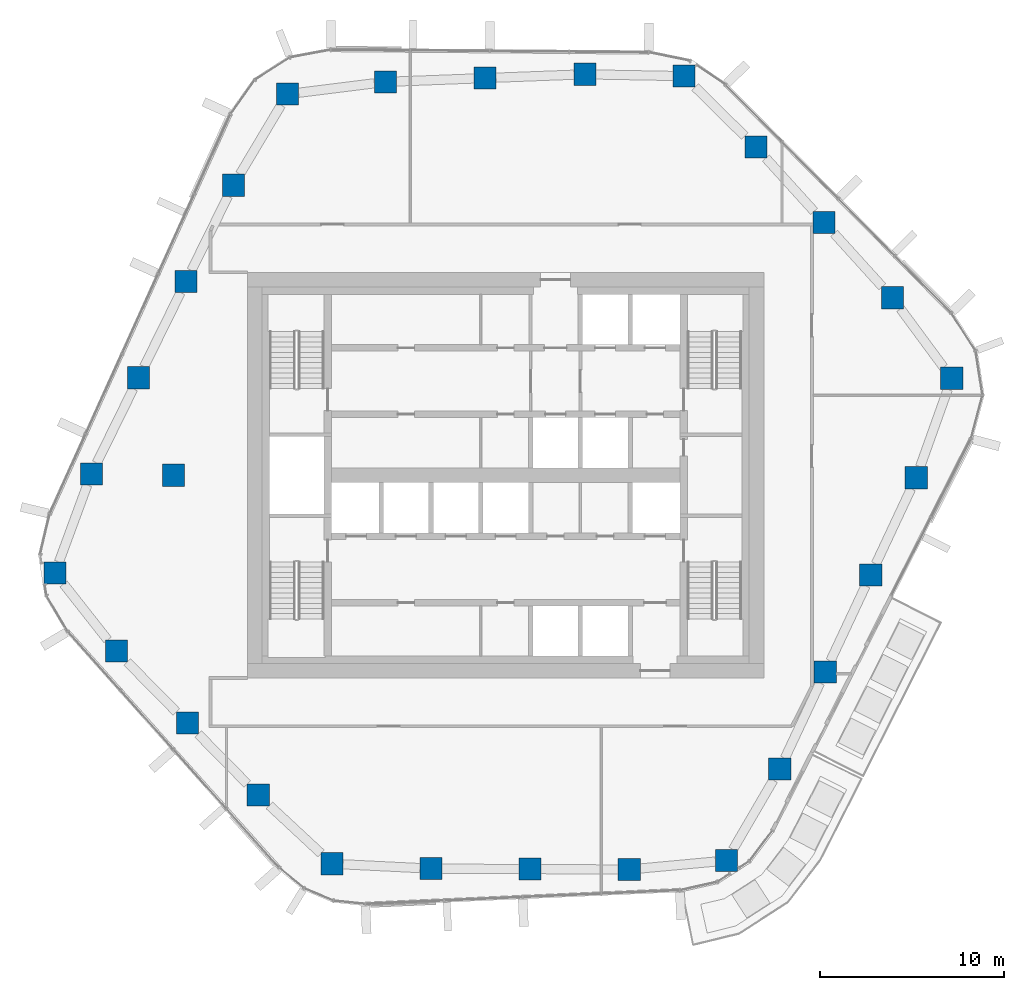
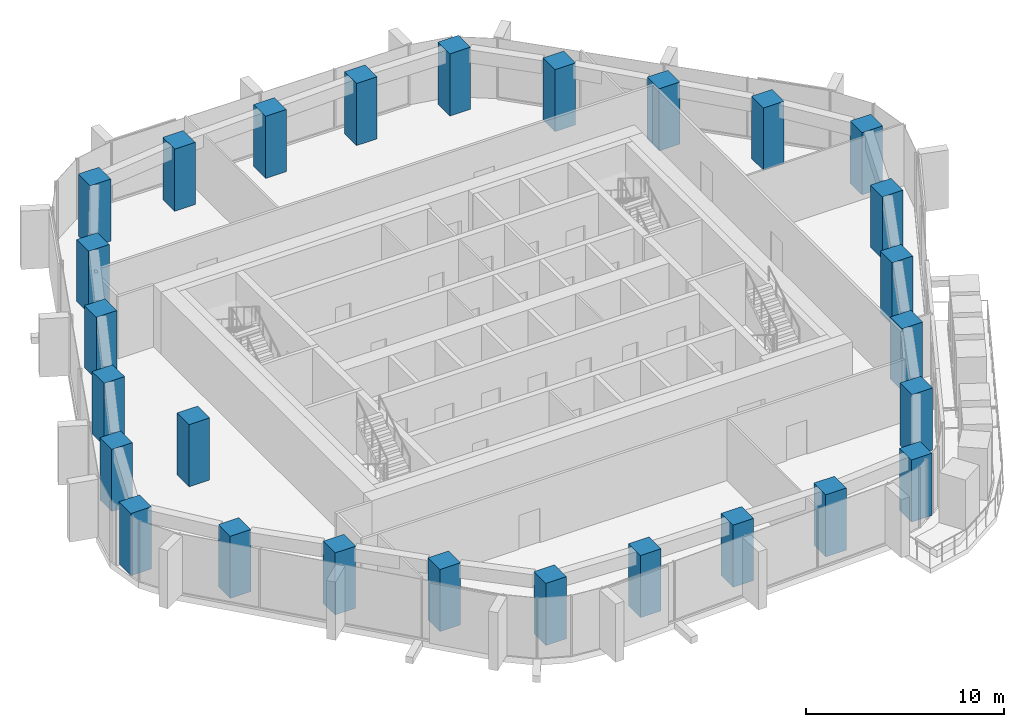
# One storey, part 1 of 17: 27 columns.
"""IFC4 building model written with IfcOpenShell, lengths in metres."""

from ifc_helpers import new_model, si_unit, direction, frame, origin, origin_2d, place, context, subcontext, project, spatial, rectangle, extrude, material, material_profile, profile_set, type_object, element, save


model = new_model("IFC4")

# Units and contexts
model_context = context("Model", 3, precision=1e-05, world=origin(), true_north=direction((0.0, 1.0)))
body_context = subcontext(model_context, "Body", "Model", "MODEL_VIEW")
ifc_project = project(units=[si_unit("LENGTHUNIT", "METRE"), si_unit("AREAUNIT", "SQUARE_METRE"), si_unit("VOLUMEUNIT", "CUBIC_METRE"), si_unit("PLANEANGLEUNIT", "RADIAN"), si_unit("MASSUNIT", "GRAM", prefix="KILO")], contexts=[model_context])

# Site, building, storey
site_placement = place(None, origin())
site = spatial("IfcSite", under=ifc_project, at=site_placement, CompositionType="ELEMENT")
building_placement = place(site_placement, origin())
building = spatial("IfcBuilding", under=site, at=building_placement, Name="Dongbaek Canopy Tower", CompositionType="ELEMENT")
storey_placement = place(building_placement, frame((0.0, 0.0, 175.39990234375)))
storey = spatial("IfcBuildingStorey", under=building, at=storey_placement, Name="L38", CompositionType="ELEMENT", Elevation=175.39990234375)

# Columns
ifc_material = material(Name="Concrete C70", Category="concrete")
ifc_material_profile = material_profile(ifc_material, rectangle(XDim=1.199951171875, YDim=1.199951171875, at=origin_2d()), Name="RC COLUMN 1200x1200 C70")
ifc_profile_set = profile_set([ifc_material_profile], Name="Concrete C70")
column_type = type_object("IfcColumnType", Name="RC COLUMN 1200x1200 C70", PredefinedType="COLUMN", material=ifc_profile_set)
for number, where, z_axis, x_axis, name in (
    (1, (11.971923828125, -20.885009765625, 0.0), (0.0, 0.0, 1.0), (1.0, 0.0, 0.0), "COL:CZ3-01:L38"),
    (2, (6.697998046875, -21.3720703125, 0.0), (0.0, 0.0, 1.0), (1.0, 0.0, 0.0), "COL:CZ3-02:L38"),
    (3, (1.321044921875, -21.347900390625, 0.0), (0.0, 0.0, 1.0), (1.0, 0.0, 0.0), "COL:CZ3-03:L38"),
    (4, (-4.054931640625, -21.323974609375, 0.0), (0.0, 0.0, 1.0), (1.0, 0.0, 0.0), "COL:CZ3-04:L38"),
    (5, (-9.407958984375, -21.06103515625, 0.0), (0.0, 0.0, 1.0), (1.0, 0.0, 0.0), "COL:CZ3-05:L38"),
    (6, (-13.409912109375, -17.339111328125, 0.0), (0.0, 0.0, 1.0), (1.0, 0.0, 0.0), "COL:CZ3-06:L38"),
    (7, (-17.258056640625, -13.431884765625, 0.0), (0.0, 0.0, 1.0), (1.0, 0.0, 0.0), "COL:CZ3-07:L38"),
    (8, (-21.10595703125, -9.52490234375, 0.0), (0.0, 0.0, 1.0), (1.0, 0.0, 0.0), "COL:CZ3-08:L38"),
    (9, (-24.43505859375, -5.2939453125, 0.0), (0.0, 0.0, 1.0), (1.0, 0.0, 0.0), "COL:CZ3-09:L38"),
    (10, (-22.4619140625, 0.06689453125, 0.0), (0.0, 0.0, 1.0), (1.0, 0.0, 0.0), "COL:CZ3-10:L38"),
    (11, (-19.89599609375, 5.287109375, 0.0), (0.0, 0.0, 1.0), (1.0, 0.0, 0.0), "COL:CZ3-11:L38"),
    (12, (-17.327880859375, 10.5048828125, 0.0), (0.0, 0.0, 1.0), (1.0, 0.0, 0.0), "COL:CZ3-12:L38"),
    (13, (-14.761962890625, 15.72412109375, 0.0), (0.0, 0.0, 1.0), (1.0, 0.0, 0.0), "COL:CZ3-13:L38"),
    (14, (-11.822998046875, 20.660888671875, 0.0), (0.0, 0.0, 1.0), (1.0, 0.0, 0.0), "COL:CZ3-14:L38"),
    (15, (-6.52197265625, 21.322998046875, 0.0), (0.0, 0.0, 1.0), (1.0, 0.0, 0.0), "COL:CZ3-15:L38"),
    (16, (-1.113037109375, 21.530029296875, 0.0), (0.0, 0.0, 1.0), (1.0, 0.0, 0.0), "COL:CZ3-16:L38"),
    (17, (4.294921875, 21.736083984375, 0.0), (0.0, 0.0, 1.0), (1.0, 0.0, 0.0), "COL:CZ3-17:L38"),
    (18, (9.666015625, 21.635009765625, 0.0), (0.0, 0.0, 1.0), (1.0, 0.0, 0.0), "COL:CZ3-18:L38"),
    (19, (13.56005859375, 17.7919921875, 0.0), (0.0, 0.0, 1.0), (1.0, 0.0, 0.0), "COL:CZ3-19:L38"),
    (20, (17.260986328125, 13.7060546875, 0.0), (0.0, 0.0, 1.0), (1.0, 0.0, 0.0), "COL:CZ3-20:L38"),
    (21, (20.9599609375, 9.62109375, 0.0), (0.0, 0.0, 1.0), (1.0, 0.0, 0.0), "COL:CZ3-21:L38"),
    (22, (24.179931640625, 5.257080078125, 0.0), (0.0, 0.0, 1.0), (1.0, 0.0, 0.0), "COL:CZ3-22:L38"),
    (23, (22.25390625, -0.134033203125, 0.0), (0.0, 0.0, 1.0), (1.0, 0.0, 0.0), "COL:CZ3-23:L38"),
    (24, (19.7880859375, -5.39892578125, 0.0), (0.0, 0.0, 1.0), (1.0, 0.0, 0.0), "COL:CZ3-24:L38"),
    (25, (17.322021484375, -10.666015625, 0.0), (0.0, 0.0, 1.0), (1.0, 0.0, 0.0), "COL:CZ3-25:L38"),
    (26, (14.85498046875, -15.931884765625, 0.0), (0.0, 0.0, 1.0), (1.0, 0.0, 0.0), "COL:CZ3-26:L38"),
    (27, (-18.0, 0.0, 0.0), (0.0, 0.0, 1.0), (1.0, 0.0, 0.0), "COL:CIZ3-01:L38"),
):
    element("IfcColumn", number, at=place(storey_placement, frame(where, z_axis=z_axis, x_axis=x_axis)), inside=storey, type_object=column_type, Name=name, PredefinedType="COLUMN", context=body_context, shape_type="SweptSolid", body=[
        extrude(rectangle(XDim=1.199951171875, YDim=1.199951171875, at=origin_2d()), origin(), (0.0, 0.0, 1.0), 3.820068359375),
    ])

save(model, "model.ifc")
